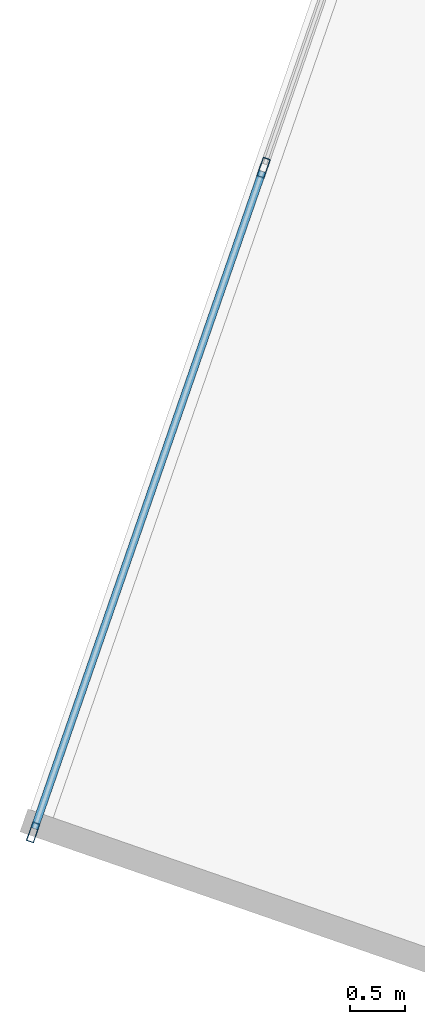
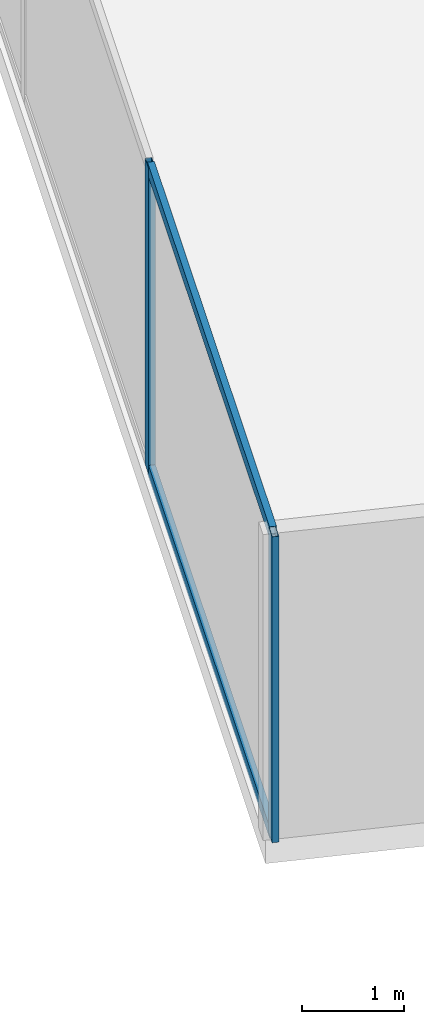
# One storey, part 6 of 28: 4 members, 1 element without a shape of its own.
"""IFC4 building model written with IfcOpenShell, lengths in metres."""

from ifc_helpers import new_model, si_unit, direction, frame, origin, origin_2d, place, context, subcontext, project, spatial, hollow_rectangle, extrude, source, transform, mapped, material, material_profile, profile_set, type_object, type_shapes, element, aggregate, save


model = new_model("IFC4")

# Units and contexts
model_context = context("Model", 3, precision=1e-05, world=origin(), true_north=direction((0.0, 1.0)))
body_context = subcontext(model_context, "Body", "Model", "MODEL_VIEW")
ifc_project = project(units=[si_unit("LENGTHUNIT", "METRE"), si_unit("AREAUNIT", "SQUARE_METRE"), si_unit("VOLUMEUNIT", "CUBIC_METRE"), si_unit("PLANEANGLEUNIT", "RADIAN"), si_unit("MASSUNIT", "GRAM", prefix="KILO")], contexts=[model_context])

# Site, building, storey
site_placement = place(None, origin())
site = spatial("IfcSite", under=ifc_project, at=site_placement, CompositionType="ELEMENT")
building_placement = place(site_placement, origin())
building = spatial("IfcBuilding", under=site, at=building_placement, Name="Krantzveldt Concourse Tower", CompositionType="ELEMENT")
storey_placement = place(building_placement, frame((0.0, 0.0, 117.699951171875)))
storey = spatial("IfcBuildingStorey", under=building, at=storey_placement, Name="L28", CompositionType="ELEMENT", Elevation=117.699951171875)

# Curtain wall, members
ifc_material = material(Name="Anodised aluminium 6063-T6", Category="aluminium")
curtain_wall_type = type_object("IfcCurtainWallType", Name="CW2", PredefinedType="USERDEFINED", material=ifc_material)
curtain_wall_placement = place(storey_placement, origin())
curtain_wall = element("IfcCurtainWall", 1, at=curtain_wall_placement, inside=storey, type_object=curtain_wall_type, Name="CW-L28-F01", ObjectType="UNITISED CURTAIN WALL", PredefinedType="USERDEFINED")
ifc_material_profile_1 = material_profile(ifc_material, hollow_rectangle(XDim=0.070068359375, YDim=0.179931640625, WallThickness=0.0048828125, at=origin_2d()), Name="Anodised aluminium 6063-T6", Category="aluminium")
ifc_profile_set_1 = profile_set([ifc_material_profile_1], Name="Anodised aluminium 6063-T6 - ALU-MULL 180x70x5")
member_type_1 = type_object("IfcMemberType", Name="CW-MUL-180", PredefinedType="MULLION", material=ifc_profile_set_1)
shared_shape_1 = source(origin(), body_context, "Body", "SweptSolid", [
    extrude(hollow_rectangle(XDim=0.070068359375, YDim=0.179931640625, WallThickness=0.0048828125, at=origin_2d()), origin(), (0.0, 0.0, 1.0), 3.670166015625),
])
type_shapes(member_type_1, [shared_shape_1])
member_1_placement = place(storey_placement, frame((9.7392578125, 22.11767578125, 0.0), z_axis=(0.0, 0.0, 1.0), x_axis=(0.944806041446, -0.32763019404, 0.0)))
member_1 = element("IfcMember", 2, at=member_1_placement, type_object=member_type_1, Name="CW-Z12 mullion 6", PredefinedType="MULLION", context=body_context, shape_type="MappedRepresentation", body=[
    mapped(shared_shape_1, transform((0.0, 0.0, 0.0), x_axis=(1.0, 0.0, 0.0), y_axis=(0.0, 1.0, 0.0), z_axis=(0.0, 0.0, 1.0), scale=1.0)),
])
member_2_placement = place(storey_placement, frame((7.632080078125, 16.040771484375, 0.0), z_axis=(0.0, 0.0, 1.0), x_axis=(0.944806041446, -0.32763019404, 0.0)))
member_2 = element("IfcMember", 3, at=member_2_placement, type_object=member_type_1, Name="CW-Z12 mullion 7", PredefinedType="MULLION", context=body_context, shape_type="MappedRepresentation", body=[
    mapped(shared_shape_1, transform((0.0, 0.0, 0.0), x_axis=(1.0, 0.0, 0.0), y_axis=(0.0, 1.0, 0.0), z_axis=(0.0, 0.0, 1.0), scale=1.0)),
])
ifc_material_profile_2 = material_profile(ifc_material, hollow_rectangle(XDim=0.070068359375, YDim=0.139892578125, WallThickness=0.0048828125, at=origin_2d()), Name="Anodised aluminium 6063-T6", Category="aluminium")
ifc_profile_set_2 = profile_set([ifc_material_profile_2], Name="Anodised aluminium 6063-T6 - ALU-TRAN 140x70x5")
member_type_2 = type_object("IfcMemberType", Name="CW-TRN-150", PredefinedType="USERDEFINED", material=ifc_profile_set_2)
shared_shape_2 = source(origin(), body_context, "Body", "SweptSolid", [
    extrude(hollow_rectangle(XDim=0.070068359375, YDim=0.139892578125, WallThickness=0.0048828125, at=origin_2d()), origin(), (0.0, 0.0, 1.0), 6.361572265625),
])
type_shapes(member_type_2, [shared_shape_2])
member_3_placement = place(storey_placement, frame((9.727783203125, 22.08447265625, 0.03515625), z_axis=(-0.327625894764, -0.944807532294, 0.0), x_axis=(0.944807532294, -0.327625894764, 0.0)))
member_3 = element("IfcMember", 4, at=member_3_placement, type_object=member_type_2, Name="CW-Z12 transom 6.1", ObjectType="TRANSOM", PredefinedType="USERDEFINED", context=body_context, shape_type="MappedRepresentation", body=[
    mapped(shared_shape_2, transform((0.0, 0.0, 0.0), x_axis=(1.0, 0.0, 0.0), y_axis=(0.0, 1.0, 0.0), z_axis=(0.0, 0.0, 1.0), scale=1.0)),
])
member_4_placement = place(storey_placement, frame((9.727783203125, 22.08447265625, 3.635009765625), z_axis=(-0.327625894764, -0.944807532294, 0.0), x_axis=(0.944807532294, -0.327625894764, 0.0)))
member_4 = element("IfcMember", 5, at=member_4_placement, type_object=member_type_2, Name="CW-Z12 transom 6.2", ObjectType="TRANSOM", PredefinedType="USERDEFINED", context=body_context, shape_type="MappedRepresentation", body=[
    mapped(shared_shape_2, transform((0.0, 0.0, 0.0), x_axis=(1.0, 0.0, 0.0), y_axis=(0.0, 1.0, 0.0), z_axis=(0.0, 0.0, 1.0), scale=1.0)),
])
aggregate(curtain_wall, [member_1, member_2, member_3, member_4])

save(model, "model.ifc")
